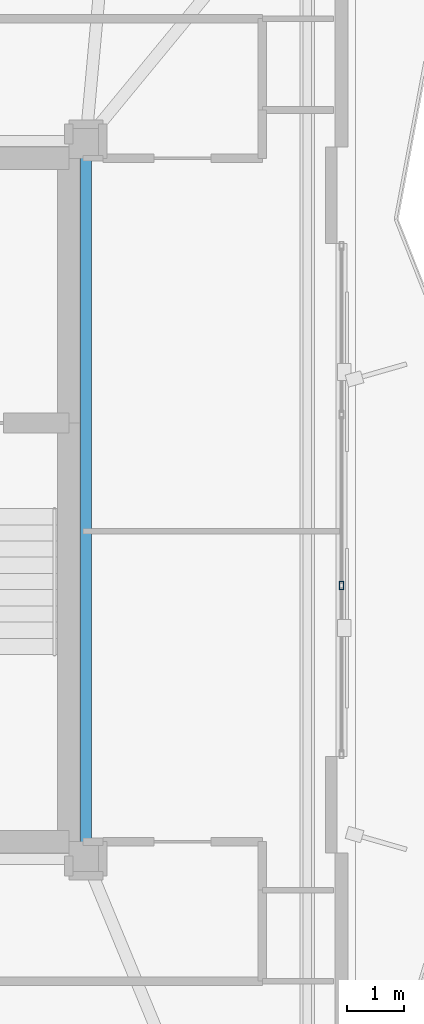
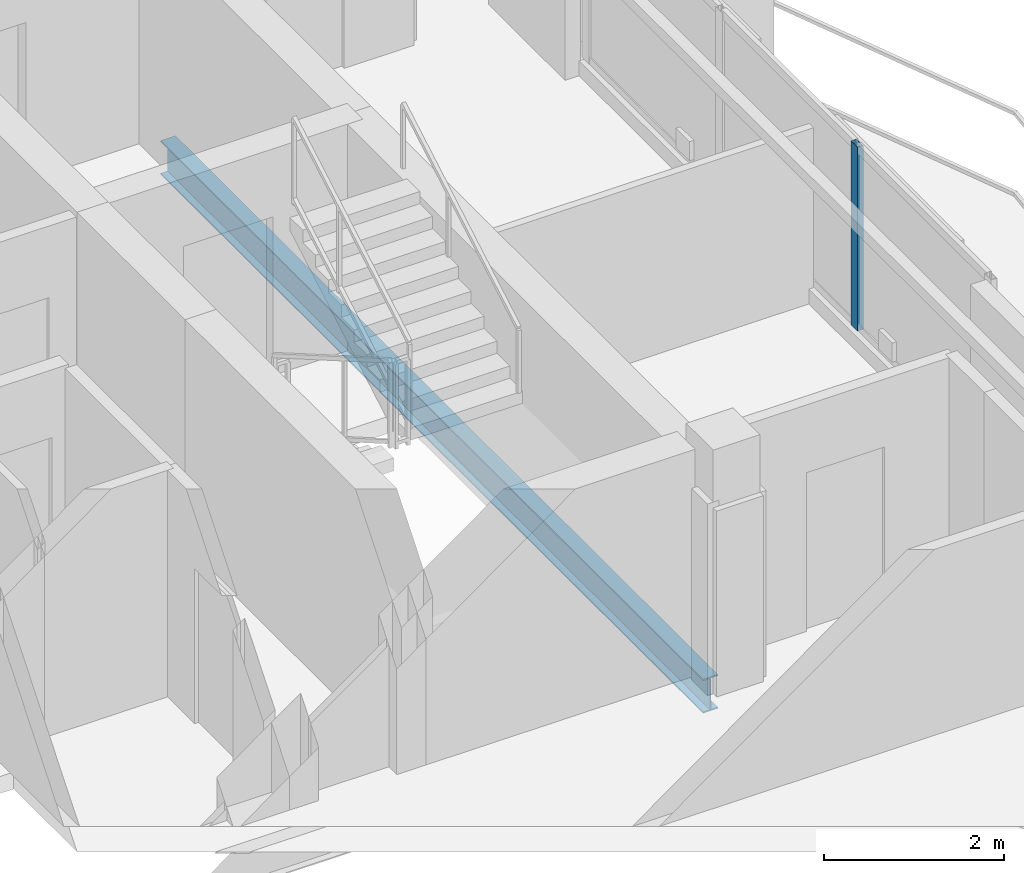
# One storey, part 11 of 22: 1 beam, 1 member, 1 element without a shape of its own.
"""IFC4 building model written with IfcOpenShell, lengths in metres."""

from ifc_helpers import new_model, si_unit, direction, frame, origin, origin_2d, place, context, subcontext, project, spatial, hollow_rectangle, i_section, extrude, material, layer, layer_set, material_profile, profile_set, type_object, element, aggregate, save


model = new_model("IFC4")

# Units and contexts
model_context = context("Model", 3, precision=1e-05, world=origin(), true_north=direction((0.0, 1.0)))
body_context = subcontext(model_context, "Body", "Model", "MODEL_VIEW")
ifc_project = project(units=[si_unit("LENGTHUNIT", "METRE"), si_unit("AREAUNIT", "SQUARE_METRE"), si_unit("VOLUMEUNIT", "CUBIC_METRE"), si_unit("PLANEANGLEUNIT", "RADIAN"), si_unit("MASSUNIT", "GRAM", prefix="KILO")], contexts=[model_context])

# Site, building, storey
site_placement = place(None, origin())
site = spatial("IfcSite", under=ifc_project, at=site_placement, CompositionType="ELEMENT")
building_placement = place(site_placement, origin())
building = spatial("IfcBuilding", under=site, at=building_placement, Name="Mersakhor Tower and Convention Hall", CompositionType="ELEMENT")
storey_placement = place(building_placement, frame((0.0, 0.0, 198.60009765625)))
storey = spatial("IfcBuildingStorey", under=building, at=storey_placement, Name="L55", CompositionType="ELEMENT", Elevation=198.60009765625)

# Beam
ifc_material_1 = material(Name="Steel S355", Category="steel")
ifc_material_profile_1 = material_profile(ifc_material_1, i_section(OverallWidth=0.19140625, OverallDepth=0.4599609375, WebThickness=0.010009765625, FlangeThickness=0.01611328125, at=origin_2d()), Name="UB 457x191x82")
ifc_profile_set_1 = profile_set([ifc_material_profile_1], Name="Steel S355")
beam_type = type_object("IfcBeamType", Name="BM-FB-457", PredefinedType="BEAM", material=ifc_profile_set_1)
beam_placement = place(storey_placement, frame((36.10009765625, 32.77001953125, -0.460205078125), z_axis=(0.0, -1.0, 0.0), x_axis=(1.0, 0.0, 0.0)))
element("IfcBeam", 1, at=beam_placement, inside=storey, type_object=beam_type, Name="L55 Core Ring Tie Beam CRB-3", PredefinedType="BEAM", context=body_context, shape_type="SweptSolid", body=[
    extrude(i_section(OverallWidth=0.19140625, OverallDepth=0.4599609375, WebThickness=0.010009765625, FlangeThickness=0.01611328125, at=origin_2d()), origin(), (0.0, 0.0, 1.0), 12.0400390625),
])

# Curtain wall, member
ifc_material_2 = material(Name="Dark solar low-E aluminium curtain wall", Category="aluminium")
ifc_layer = layer(ifc_material_2, 0.169921875)
ifc_layer_set = layer_set([ifc_layer], Name="Dark solar low-E aluminium curtain wall")
curtain_wall_type = type_object("IfcCurtainWallType", Name="CW-SYS-02", PredefinedType="USERDEFINED", material=ifc_layer_set)
curtain_wall_placement = place(storey_placement, origin())
curtain_wall = element("IfcCurtainWall", 2, at=curtain_wall_placement, inside=storey, type_object=curtain_wall_type, Name="L55 Dark-Glass Curtain Wall F2-B2", ObjectType="CURTAIN WALL", PredefinedType="USERDEFINED")
ifc_material_3 = material(Name="Anodised aluminium EN AW-6063 T6", Category="aluminium")
ifc_material_profile_2 = material_profile(ifc_material_3, hollow_rectangle(XDim=0.074951171875, YDim=0.14990234375, WallThickness=0.00634765625, at=origin_2d()), Name="RHS 150x75x6.3")
ifc_profile_set_2 = profile_set([ifc_material_profile_2], Name="Anodised aluminium EN AW-6063 T6")
member_type = type_object("IfcMemberType", Name="CWM-150x75", PredefinedType="MULLION", material=ifc_profile_set_2)
member_placement = place(storey_placement, frame((40.58837890625, 25.250244140625, 0.199951171875), z_axis=(0.0, 0.0, 1.0), x_axis=(1.0, 0.0, 0.0)))
member = element("IfcMember", 3, at=member_placement, type_object=member_type, Name="CW-02 mullion 3", PredefinedType="MULLION", context=body_context, shape_type="SweptSolid", body=[
    extrude(hollow_rectangle(XDim=0.074951171875, YDim=0.14990234375, WallThickness=0.00634765625, at=origin_2d()), origin(), (0.0, 0.0, 1.0), 2.489990234375),
])
aggregate(curtain_wall, [member])

save(model, "model.ifc")
